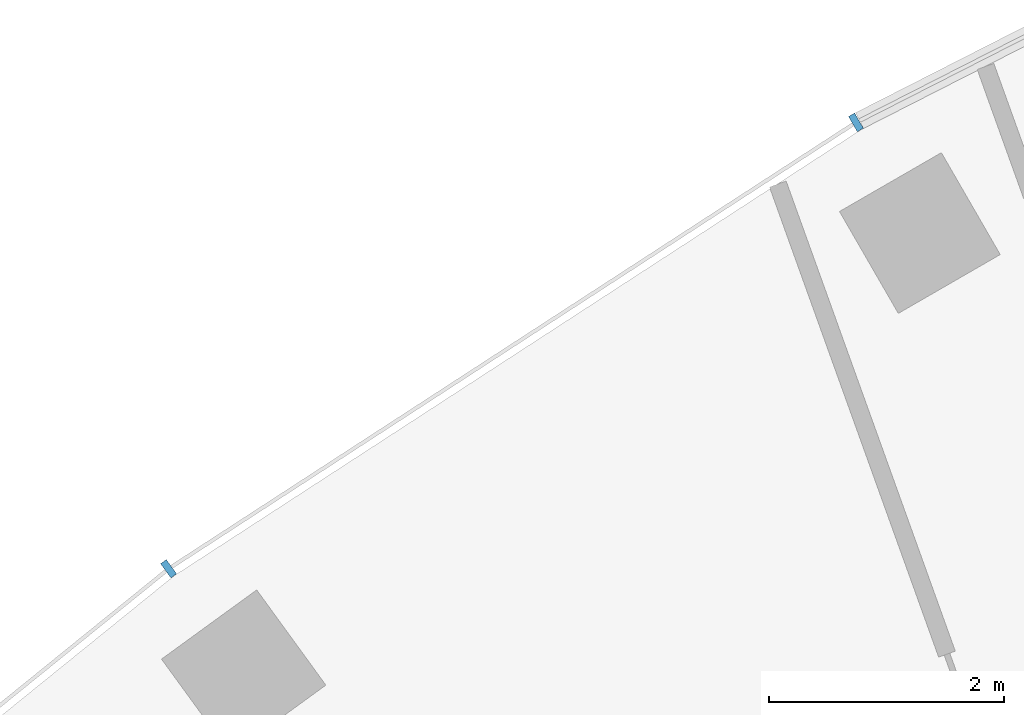
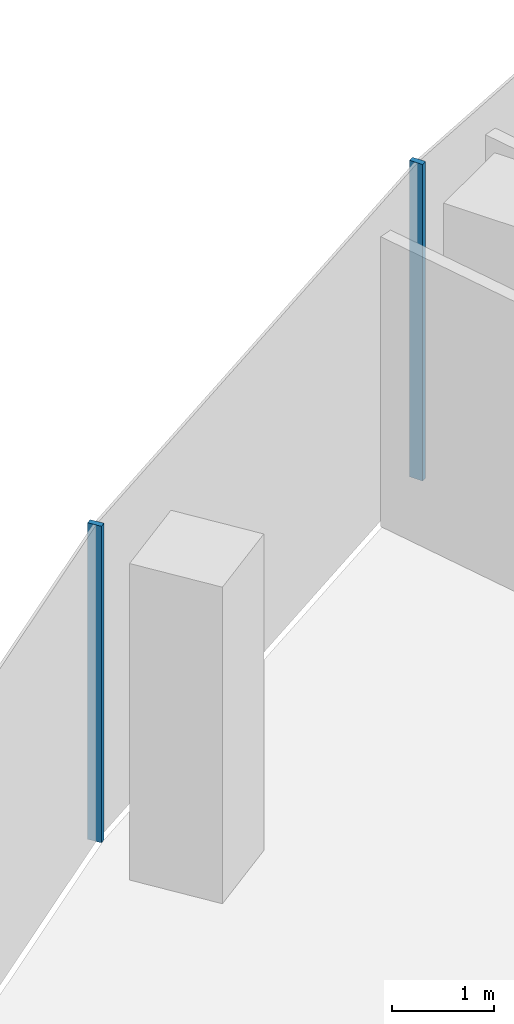
# One storey, part 4 of 21: 2 members, 1 element without a shape of its own.
"""IFC4 building model written with IfcOpenShell, lengths in metres."""

from ifc_helpers import new_model, si_unit, direction, frame, origin, origin_2d, place, context, subcontext, project, spatial, rectangle, extrude, material, layer, layer_set, material_profile, profile_set, type_object, element, aggregate, save


model = new_model("IFC4")

# Units and contexts
model_context = context("Model", 3, precision=1e-05, world=origin(), true_north=direction((0.0, 1.0)))
body_context = subcontext(model_context, "Body", "Model", "MODEL_VIEW")
ifc_project = project(units=[si_unit("LENGTHUNIT", "METRE"), si_unit("AREAUNIT", "SQUARE_METRE"), si_unit("VOLUMEUNIT", "CUBIC_METRE"), si_unit("PLANEANGLEUNIT", "RADIAN"), si_unit("MASSUNIT", "GRAM", prefix="KILO")], contexts=[model_context])

# Site, building, storey
site_placement = place(None, origin())
site = spatial("IfcSite", under=ifc_project, at=site_placement, CompositionType="ELEMENT")
building_placement = place(site_placement, origin())
building = spatial("IfcBuilding", under=site, at=building_placement, Name="Stone Belt Terrace Tower", CompositionType="ELEMENT")
storey_placement = place(building_placement, frame((0.0, 0.0, 159.199951171875)))
storey = spatial("IfcBuildingStorey", under=building, at=storey_placement, Name="L38", CompositionType="ELEMENT", Elevation=159.199951171875)

# Curtain wall, members
ifc_material = material(Name="Aluminium 6063-T6 anodised frame", Category="aluminium")
ifc_layer = layer(ifc_material, 0.14990234375)
ifc_layer_set = layer_set([ifc_layer], Name="CW-A unitised convex-face curtain wall")
curtain_wall_type = type_object("IfcCurtainWallType", Name="CW-A unitised convex-face curtain wall", PredefinedType="NOTDEFINED", material=ifc_layer_set)
curtain_wall_placement = place(storey_placement, origin())
curtain_wall = element("IfcCurtainWall", 1, at=curtain_wall_placement, inside=storey, type_object=curtain_wall_type, Name="CW-A convex face L38", PredefinedType="NOTDEFINED")
ifc_material_profile = material_profile(ifc_material, rectangle(XDim=0.14990234375, YDim=0.06005859375, at=origin_2d()), Name="Aluminium 6063-T6 60x150")
ifc_profile_set = profile_set([ifc_material_profile], Name="Aluminium 6063-T6 anodised frame")
member_type = type_object("IfcMemberType", Name="CW-A mullion 60 x 150", PredefinedType="MULLION", material=ifc_profile_set)
member_1_placement = place(storey_placement, frame((-33.28759765625, 57.65576171875, 0.0), z_axis=(0.0, 0.0, 1.0), x_axis=(0.5, -0.866025403784, 0.0)))
member_1 = element("IfcMember", 2, at=member_1_placement, type_object=member_type, Name="CW-A mullion 14", PredefinedType="MULLION", context=body_context, shape_type="SweptSolid", body=[
    extrude(rectangle(XDim=0.14990234375, YDim=0.06005859375, at=origin_2d()), origin(), (0.0, 0.0, 1.0), 3.800048828125),
])
member_2_placement = place(storey_placement, frame((-39.1318359375, 53.8603515625, 0.0), z_axis=(0.0, 0.0, 1.0), x_axis=(0.587785252292, -0.809016994375, 0.0)))
member_2 = element("IfcMember", 3, at=member_2_placement, type_object=member_type, Name="CW-A mullion 15", PredefinedType="MULLION", context=body_context, shape_type="SweptSolid", body=[
    extrude(rectangle(XDim=0.14990234375, YDim=0.06005859375, at=origin_2d()), origin(), (0.0, 0.0, 1.0), 3.800048828125),
])
aggregate(curtain_wall, [member_1, member_2])

save(model, "model.ifc")
